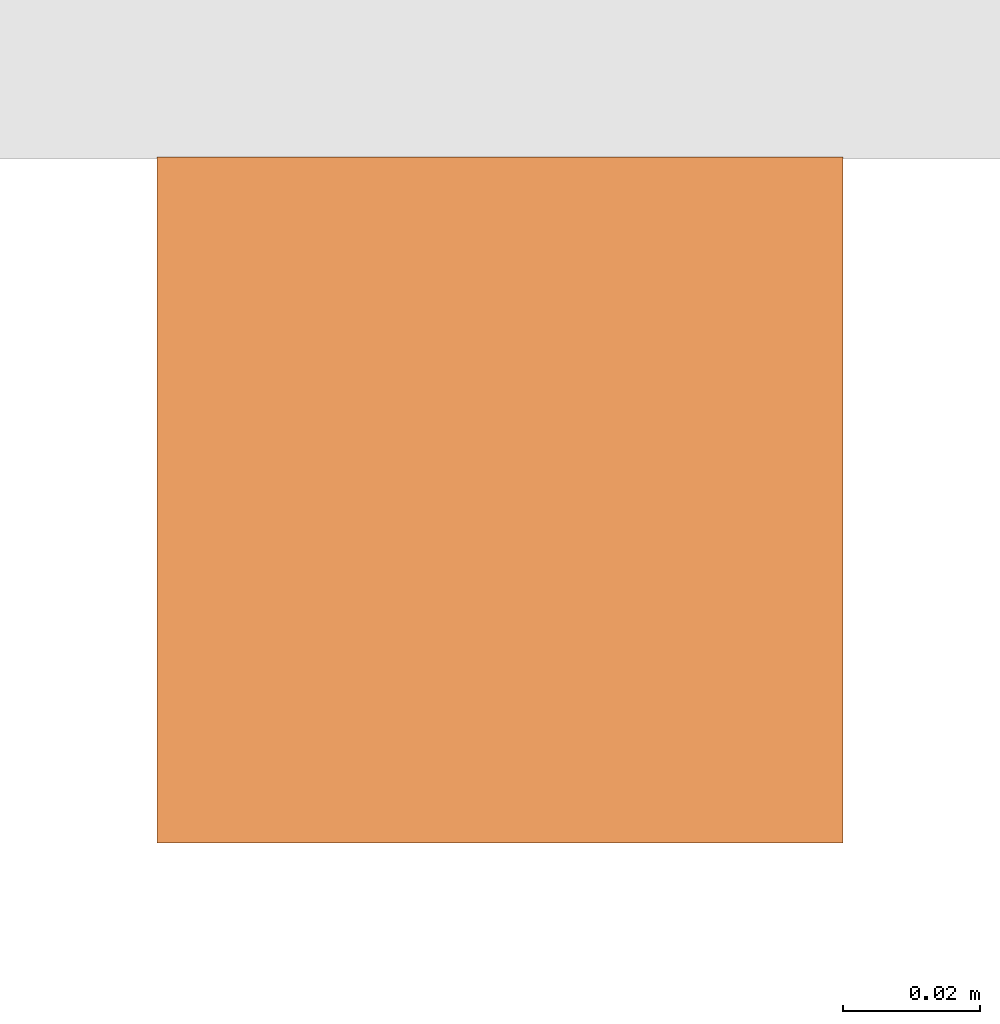
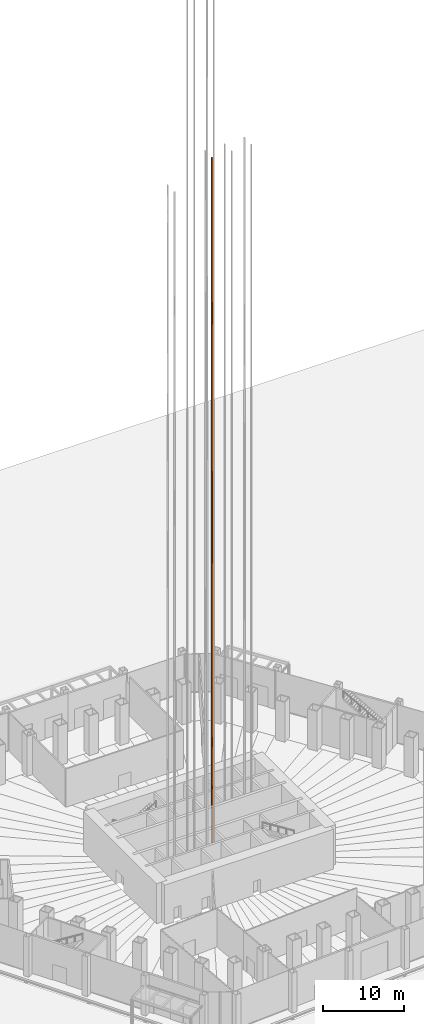
# One storey, part 40 of 45: 1 proxy.
"""IFC4 building model written with IfcOpenShell, lengths in metres."""

import ifcopenshell
import ifcopenshell.guid

model = None  # the IFC model being written
_history = None  # IfcOwnerHistory: only IFC2X3 demands one
_inside = {}  # id of a spatial element -> (the spatial element, [elements in it])
_under = {}  # id of a project, library or spatial element -> (it, [spatial elements below it])
_declared = {}  # id of a project -> (the project, [libraries it declares])
_typed = {}  # id of a type object -> (the type object, [elements of that type])
_made_of = {}  # id of a material, layer set ... -> (it, [elements and type objects made of it])


def new_model(schema):
    """Start an empty IFC model of exactly this schema.

    Asked for "IFC4X3", IfcOpenShell would pick the latest addendum, in which some entities
    have other attributes; the version numbers below select the first issue.
    IFC2X3 requires an IfcOwnerHistory on every rooted entity: one is made here for all.
    """
    global model, _history
    if schema == "IFC4X3":
        model = ifcopenshell.file(schema_version=(4, 3, 0, 0))
    else:
        model = ifcopenshell.file(schema=schema)
    _inside.clear()
    _under.clear()
    _declared.clear()
    _typed.clear()
    _made_of.clear()
    _history = None
    if model.schema == "IFC2X3":
        org = make("IfcOrganization", Name="unknown")
        user = make(
            "IfcPersonAndOrganization",
            ThePerson=make("IfcPerson", FamilyName="unknown"),
            TheOrganization=org,
        )
        app = make(
            "IfcApplication",
            ApplicationDeveloper=org,
            Version="unknown",
            ApplicationFullName="unknown",
            ApplicationIdentifier="unknown",
        )
        _history = make(
            "IfcOwnerHistory",
            OwningUser=user,
            OwningApplication=app,
            ChangeAction="ADDED",
            CreationDate=0,
        )
    return model


def make(cls, **values):
    """One entity of the class cls with the attributes given. An attribute that is None is left unset."""
    return model.create_entity(
        cls, **{name: value for name, value in values.items() if value is not None}
    )


def rooted(cls, **values):
    """An entity with a GlobalId (a new one), such as an element, a storey or a relation."""
    return make(cls, GlobalId=ifcopenshell.guid.new(), OwnerHistory=_history, **values)


def si_unit(unit_type, name, prefix=None):
    """IfcSIUnit, for example si_unit("LENGTHUNIT", "METRE", prefix="MILLI")."""
    return make("IfcSIUnit", UnitType=unit_type, Prefix=prefix, Name=name)


def assignment(units):
    """IfcUnitAssignment: the units of a project."""
    return None if units is None else make("IfcUnitAssignment", Units=units)


def point(xyz):
    """IfcCartesianPoint."""
    return None if xyz is None else make("IfcCartesianPoint", Coordinates=xyz)


def direction(xyz):
    """IfcDirection."""
    return None if xyz is None else make("IfcDirection", DirectionRatios=xyz)


def frame(location, z_axis=None, x_axis=None):
    """IfcAxis2Placement3D, a coordinate frame: its origin and axes. An axis left out is left unset."""
    return make(
        "IfcAxis2Placement3D",
        Location=point(location),
        Axis=direction(z_axis),
        RefDirection=direction(x_axis),
    )


def frame_2d(location, x_axis=None):
    """IfcAxis2Placement2D, a coordinate frame in the plane: its origin and x axis."""
    return make(
        "IfcAxis2Placement2D", Location=point(location), RefDirection=direction(x_axis)
    )


def origin():
    """The frame at (0, 0, 0) with its axes left unset."""
    return frame((0.0, 0.0, 0.0))


def origin_2d():
    """The frame at (0, 0) in the plane with its x axis left unset."""
    return frame_2d((0.0, 0.0))


def place(relative_to, where):
    """IfcLocalPlacement: puts the frame where relative to a parent placement (None: the world)."""
    return make(
        "IfcLocalPlacement", PlacementRelTo=relative_to, RelativePlacement=where
    )


def context(
    kind, dimensions, precision=None, world=None, true_north=None, identifier=None
):
    """IfcGeometricRepresentationContext, for example the 3D "Model" context."""
    return make(
        "IfcGeometricRepresentationContext",
        ContextIdentifier=identifier,
        ContextType=kind,
        CoordinateSpaceDimension=dimensions,
        Precision=precision,
        WorldCoordinateSystem=world,
        TrueNorth=true_north,
    )


def subcontext(parent, identifier, kind, view, scale=None):
    """IfcGeometricRepresentationSubContext, for example "Body" below "Model"."""
    return make(
        "IfcGeometricRepresentationSubContext",
        ContextIdentifier=identifier,
        ContextType=kind,
        ParentContext=parent,
        TargetScale=scale,
        TargetView=view,
    )


def project(units=None, contexts=None):
    """IfcProject with its units and contexts."""
    return rooted(
        "IfcProject",
        Name="project",
        RepresentationContexts=contexts,
        UnitsInContext=assignment(units),
    )


def spatial(cls, under=None, at=None, **own):
    """A site, building, storey or space (cls), placed at a placement, below another one or the project."""
    s = rooted(cls, ObjectPlacement=at, **own)
    if under is not None:
        _under.setdefault(under.id(), (under, []))[1].append(s)
    return s


def profile(cls, at=None, kind="AREA", **sizes):
    """A parametric profile (cls). Its sizes go by their IFC names, for example OverallWidth=200.0."""
    return make(cls, ProfileType=kind, Position=at, **sizes)


def rectangle(**sizes):
    """IfcRectangleProfileDef."""
    return profile("IfcRectangleProfileDef", **sizes)


def extrude(swept, where, along, depth):
    """IfcExtrudedAreaSolid: the profile swept, set in the frame where, extruded along a direction by depth."""
    return make(
        "IfcExtrudedAreaSolid",
        SweptArea=swept,
        Position=where,
        ExtrudedDirection=direction(along),
        Depth=depth,
    )


def shape(context_of_items, identifier, shape_type, items):
    """IfcShapeRepresentation: the items that make up one representation, for example the "Body"."""
    return make(
        "IfcShapeRepresentation",
        ContextOfItems=context_of_items,
        RepresentationIdentifier=identifier,
        RepresentationType=shape_type,
        Items=items,
    )


def material(Name=None, Category=None):
    """IfcMaterial."""
    return make("IfcMaterial", Name=Name, Category=Category)


def made_of(thing, what):
    """Note that an element or type object is made of a material, layer set ...; save() writes the relation."""
    if what is not None:
        _made_of.setdefault(what.id(), (what, []))[1].append(thing)
    return thing


def type_object(cls, material=None, **own):
    """A type object (cls), such as IfcWallType, which elements share."""
    return made_of(rooted(cls, **own), material)


def element(
    cls,
    number,
    at=None,
    inside=None,
    cuts=None,
    type_object=None,
    material=None,
    context=None,
    identifier="Body",
    shape_type=None,
    held_by="IfcProductDefinitionShape",
    body=None,
    shapes=None,
    **own,
):
    """One element of the class cls, such as IfcWall. Its Tag is "e" and its number.

    at: its placement. inside: the storey or other place that contains it. cuts: it is an
    opening in that element (IfcRelVoidsElement). A single representation is given by context,
    identifier, shape_type and body (its items); several are given by shapes. held_by: the class
    of the entity that holds the representations. save() writes the other relations.
    """
    e = rooted(cls, Tag="e%d" % number, ObjectPlacement=at, **own)
    if body is not None:
        shapes = [shape(context, identifier, shape_type, body)]
    if shapes is not None:
        e.Representation = make(held_by, Representations=shapes)
    if inside is not None:
        _inside.setdefault(inside.id(), (inside, []))[1].append(e)
    if cuts is not None:
        rooted(
            "IfcRelVoidsElement", RelatingBuildingElement=cuts, RelatedOpeningElement=e
        )
    if type_object is not None:
        _typed.setdefault(type_object.id(), (type_object, []))[1].append(e)
    return made_of(e, material)


def aggregate(whole, parts):
    """IfcRelAggregates: a whole, such as a stair, and the parts it consists of."""
    return rooted("IfcRelAggregates", RelatingObject=whole, RelatedObjects=parts)


def save(model, path):
    """Write the relations noted so far, then the file.

    IfcRelAggregates (storeys below a building ...), IfcRelContainedInSpatialStructure (elements
    in a storey), IfcRelDefinesByType, IfcRelAssociatesMaterial and IfcRelDeclares: one each for
    every whole, place, type object, material and project.
    """
    for whole, parts in _under.values():
        aggregate(whole, parts)
    for where, things in _inside.values():
        rooted(
            "IfcRelContainedInSpatialStructure",
            RelatedElements=things,
            RelatingStructure=where,
        )
    for kind, things in _typed.values():
        rooted("IfcRelDefinesByType", RelatedObjects=things, RelatingType=kind)
    for what, things in _made_of.values():
        rooted("IfcRelAssociatesMaterial", RelatedObjects=things, RelatingMaterial=what)
    for by, libraries in _declared.values():
        rooted("IfcRelDeclares", RelatingContext=by, RelatedDefinitions=libraries)
    model.write(path)


model = new_model("IFC4")

# Units and contexts
model_context = context("Model", 3, precision=1e-05, world=origin(), true_north=direction((0.0, 1.0)))
body_context = subcontext(model_context, "Body", "Model", "MODEL_VIEW")
ifc_project = project(units=[si_unit("LENGTHUNIT", "METRE"), si_unit("AREAUNIT", "SQUARE_METRE"), si_unit("VOLUMEUNIT", "CUBIC_METRE"), si_unit("PLANEANGLEUNIT", "RADIAN"), si_unit("MASSUNIT", "GRAM", prefix="KILO")], contexts=[model_context])

# Site, building, storey
site_placement = place(None, origin())
site = spatial("IfcSite", under=ifc_project, at=site_placement, CompositionType="ELEMENT")
building_placement = place(site_placement, origin())
building = spatial("IfcBuilding", under=site, at=building_placement, Name="Qingtian Harvest Tower", CompositionType="ELEMENT")
storey_placement = place(building_placement, origin())
storey = spatial("IfcBuildingStorey", under=building, at=storey_placement, Name="L00", CompositionType="ELEMENT", Elevation=0.0)

# Proxy
ifc_material = material(Name="Steel SN490B", Category="steel")
building_element_proxy_type = type_object("IfcBuildingElementProxyType", Name="Lift guide rail LR1", PredefinedType="NOTDEFINED", material=ifc_material)
proxy_placement = place(storey_placement, frame((1.89990234375, 2.675048828125, 0.0), z_axis=(0.0, 0.0, 1.0), x_axis=(1.0, 0.0, 0.0)))
element("IfcBuildingElementProxy", 1, at=proxy_placement, inside=storey, type_object=building_element_proxy_type, Name="Lift PLA1 guide rail 1", PredefinedType="NOTDEFINED", context=body_context, shape_type="SweptSolid", body=[
    extrude(rectangle(XDim=0.10009765625, YDim=0.10009765625, at=origin_2d()), origin(), (0.0, 0.0, 1.0), 103.0),
])

save(model, "model.ifc")
